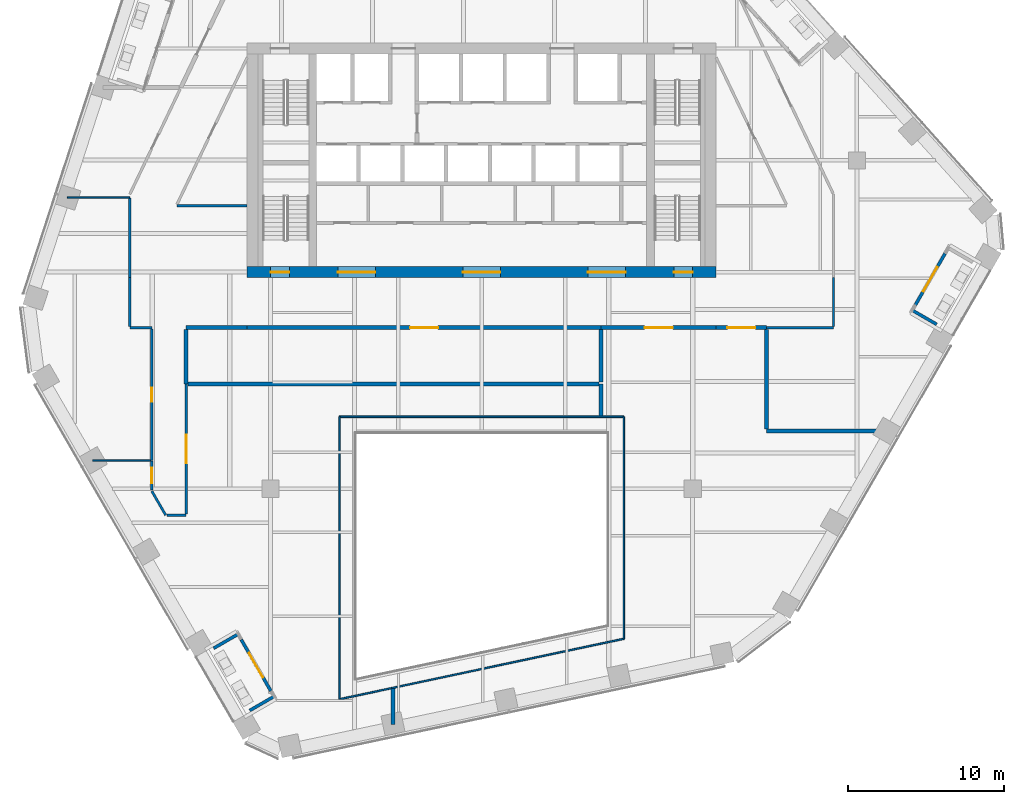
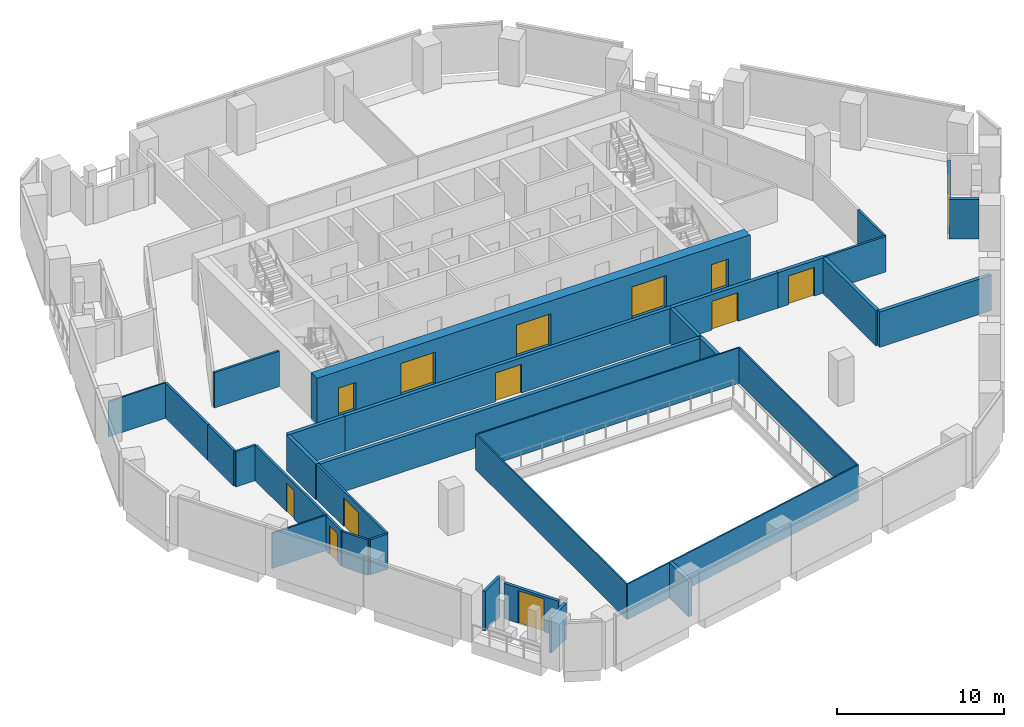
# One storey, part 19 of 26: 34 walls, 13 doors, 13 openings.
"""IFC4 building model written with IfcOpenShell, lengths in metres."""

from ifc_helpers import new_model, si_unit, direction, frame, frame_2d, origin, place, context, subcontext, project, spatial, rectangle, extrude, material, layer, layer_set, type_object, element, fill, save


model = new_model("IFC4")

# Units and contexts
model_context = context("Model", 3, precision=1e-05, world=origin(), true_north=direction((0.0, 1.0)))
body_context = subcontext(model_context, "Body", "Model", "MODEL_VIEW")
ifc_project = project(units=[si_unit("LENGTHUNIT", "METRE"), si_unit("AREAUNIT", "SQUARE_METRE"), si_unit("VOLUMEUNIT", "CUBIC_METRE"), si_unit("PLANEANGLEUNIT", "RADIAN"), si_unit("MASSUNIT", "GRAM", prefix="KILO")], contexts=[model_context])

# Site, building, storey
site_placement = place(None, origin())
site = spatial("IfcSite", under=ifc_project, at=site_placement, CompositionType="ELEMENT")
building_placement = place(site_placement, origin())
building = spatial("IfcBuilding", under=site, at=building_placement, Name="Isthmus Gate Tower", CompositionType="ELEMENT")
storey_placement = place(building_placement, frame((0.0, 0.0, 203.64990234375)))
storey = spatial("IfcBuildingStorey", under=building, at=storey_placement, Name="L51", CompositionType="ELEMENT", Elevation=203.64990234375)

# Wall, opening, door
ifc_material_1 = material(Name="Double-leaf acoustic stud wall, fire-rated", Category="gypsum")
ifc_layer_1 = layer(ifc_material_1, 0.25)
ifc_layer_set_1 = layer_set([ifc_layer_1], Name="ACOUSTIC WALL 250 60 MIN")
wall_type_1 = type_object("IfcWallType", Name="ACOUSTIC WALL 250 60 MIN", PredefinedType="PARTITIONING", material=ifc_layer_set_1)
wall_1_placement = place(storey_placement, frame((15.0, -3.199951171875, 0.0), z_axis=(0.0, 0.0, 1.0), x_axis=(-1.0, 0.0, 0.0)))
wall_1 = element("IfcWall", 1, at=wall_1_placement, inside=storey, type_object=wall_type_1, Name="L51 Acoustic Wall 250 60 Min", PredefinedType="PARTITIONING", context=body_context, shape_type="SweptSolid", body=[
    extrude(rectangle(XDim=7.35498046875, YDim=0.25, at=frame_2d((3.677490234375, 0.0))), origin(), (0.0, 0.0, 1.0), 2.59130859375),
])
opening_1_placement = place(wall_1_placement, frame((2.777587890625, 0.0, 0.0)))
opening_1 = element("IfcOpeningElement", 2, at=opening_1_placement, cuts=wall_1, Name="Opening DT-T4D-11", PredefinedType="OPENING", context=body_context, shape_type="SweptSolid", body=[
    extrude(rectangle(XDim=1.800048828125, YDim=2.10009765625, at=frame_2d((0.89990234375, 1.050048828125))), frame((0.0, 0.135009765625, 0.0), z_axis=(0.0, -1.0, 0.0), x_axis=(1.0, 0.0, 0.0)), (0.0, 0.0, 1.0), 0.27001953125),
])
ifc_material_2 = material(Name="Solid core timber door leaf, fire-rated", Category="wood")
door_type_1 = type_object("IfcDoorType", Name="FIRE DOOR ACOUSTIC ROOM 1800 X 2100 60 MIN", OperationType="DOUBLE_DOOR_DOUBLE_SWING", PredefinedType="DOOR", material=ifc_material_2)
door_1_placement = place(opening_1_placement, origin())
door_1 = element("IfcDoor", 3, at=door_1_placement, inside=storey, type_object=door_type_1, Name="L51 room door", OperationType="DOUBLE_DOOR_DOUBLE_SWING", OverallHeight=2.10009765625, OverallWidth=1.800048828125, PredefinedType="DOOR", context=body_context, shape_type="SweptSolid", body=[
    extrude(rectangle(XDim=1.800048828125, YDim=2.10009765625, at=frame_2d((0.89990234375, 1.050048828125))), frame((0.0, 0.02490234375, 0.0), z_axis=(0.0, -1.0, 0.0), x_axis=(1.0, 0.0, 0.0)), (0.0, 0.0, 1.0), 0.050048828125),
])
fill(opening_1, door_1)

wall_2_placement = place(storey_placement, frame((7.64501953125, -3.199951171875, 0.0), z_axis=(0.0, 0.0, 1.0), x_axis=(-1.0, 0.0, 0.0)))
wall_2 = element("IfcWall", 4, at=wall_2_placement, inside=storey, type_object=wall_type_1, Name="L51 Acoustic Wall 250 60 Min", PredefinedType="PARTITIONING", context=body_context, shape_type="SweptSolid", body=[
    extrude(rectangle(XDim=22.64501953125, YDim=0.25, at=frame_2d((11.322509765625, 0.0))), origin(), (0.0, 0.0, 1.0), 2.59130859375),
])
opening_2_placement = place(wall_2_placement, frame((10.422607421875, 0.0, 0.0)))
opening_2 = element("IfcOpeningElement", 5, at=opening_2_placement, cuts=wall_2, Name="Opening DT-T4D-13", PredefinedType="OPENING", context=body_context, shape_type="SweptSolid", body=[
    extrude(rectangle(XDim=1.800048828125, YDim=2.10009765625, at=frame_2d((0.89990234375, 1.050048828125))), frame((0.0, 0.135009765625, 0.0), z_axis=(0.0, -1.0, 0.0), x_axis=(1.0, 0.0, 0.0)), (0.0, 0.0, 1.0), 0.27001953125),
])
door_2_placement = place(opening_2_placement, origin())
door_2 = element("IfcDoor", 6, at=door_2_placement, inside=storey, type_object=door_type_1, Name="L51 room door", OperationType="DOUBLE_DOOR_DOUBLE_SWING", OverallHeight=2.10009765625, OverallWidth=1.800048828125, PredefinedType="DOOR", context=body_context, shape_type="SweptSolid", body=[
    extrude(rectangle(XDim=1.800048828125, YDim=2.10009765625, at=frame_2d((0.89990234375, 1.050048828125))), frame((0.0, 0.02490234375, 0.0), z_axis=(0.0, -1.0, 0.0), x_axis=(1.0, 0.0, 0.0)), (0.0, 0.0, 1.0), 0.050048828125),
])
fill(opening_2, door_2)

wall_3_placement = place(storey_placement, frame((18.222900390625, -3.199951171875, 0.0), z_axis=(0.0, 0.0, 1.0), x_axis=(-1.0, 0.0, 0.0)))
wall_3 = element("IfcWall", 7, at=wall_3_placement, inside=storey, type_object=wall_type_1, Name="L51 Acoustic Wall 250 60 Min", PredefinedType="PARTITIONING", context=body_context, shape_type="SweptSolid", body=[
    extrude(rectangle(XDim=3.222900390625, YDim=0.25, at=frame_2d((1.611328125, 0.0))), origin(), (0.0, 0.0, 1.0), 2.59130859375),
])
opening_3_placement = place(wall_3_placement, frame((0.71142578125, 0.0, 0.0)))
opening_3 = element("IfcOpeningElement", 8, at=opening_3_placement, cuts=wall_3, Name="Opening DT-T4D-12", PredefinedType="OPENING", context=body_context, shape_type="SweptSolid", body=[
    extrude(rectangle(XDim=1.800048828125, YDim=2.10009765625, at=frame_2d((0.89990234375, 1.050048828125))), frame((0.0, 0.135009765625, 0.0), z_axis=(0.0, -1.0, 0.0), x_axis=(1.0, 0.0, 0.0)), (0.0, 0.0, 1.0), 0.27001953125),
])
door_3_placement = place(opening_3_placement, origin())
door_3 = element("IfcDoor", 9, at=door_3_placement, inside=storey, type_object=door_type_1, Name="L51 room door", OperationType="DOUBLE_DOOR_DOUBLE_SWING", OverallHeight=2.10009765625, OverallWidth=1.800048828125, PredefinedType="DOOR", context=body_context, shape_type="SweptSolid", body=[
    extrude(rectangle(XDim=1.800048828125, YDim=2.10009765625, at=frame_2d((0.89990234375, 1.050048828125))), frame((0.0, 0.02490234375, 0.0), z_axis=(0.0, -1.0, 0.0), x_axis=(1.0, 0.0, 0.0)), (0.0, 0.0, 1.0), 0.050048828125),
])
fill(opening_3, door_3)

# Walls
wall_4_placement = place(storey_placement, frame((-15.0, -3.199951171875, 0.0), z_axis=(0.0, 0.0, 1.0), x_axis=(-1.0, 0.0, 0.0)))
element("IfcWall", 10, at=wall_4_placement, inside=storey, type_object=wall_type_1, Name="L51 Acoustic Wall 250 60 Min", PredefinedType="PARTITIONING", context=body_context, shape_type="SweptSolid", body=[
    extrude(rectangle(XDim=3.89990234375, YDim=0.25, at=frame_2d((1.949951171875, 0.0))), origin(), (0.0, 0.0, 1.0), 2.59130859375),
])
wall_5_placement = place(storey_placement, frame((-18.89990234375, -3.324951171875, 0.0), z_axis=(0.0, 0.0, 1.0), x_axis=(0.0, -1.0, 0.0)))
element("IfcWall", 11, at=wall_5_placement, inside=storey, type_object=wall_type_1, Name="L51 Acoustic Wall 250 60 Min", PredefinedType="PARTITIONING", context=body_context, shape_type="SweptSolid", body=[
    extrude(rectangle(XDim=3.47509765625, YDim=0.25, at=frame_2d((1.737548828125, 0.0))), origin(), (0.0, 0.0, 1.0), 2.59130859375),
])
wall_6_placement = place(storey_placement, frame((18.222900390625, -9.81103515625, 0.0), z_axis=(0.0, 0.0, 1.0), x_axis=(1.0, 0.0, 0.0)))
element("IfcWall", 12, at=wall_6_placement, inside=storey, type_object=wall_type_1, Name="L51 Acoustic Wall 250 60 Min", PredefinedType="PARTITIONING", context=body_context, shape_type="SweptSolid", body=[
    extrude(rectangle(XDim=7.751220703125, YDim=0.25, at=frame_2d((3.87548828125, 0.0))), origin(), (0.0, 0.0, 1.0), 2.59130859375),
])
wall_7_placement = place(storey_placement, frame((-5.674072265625, -28.593017578125, 0.0), z_axis=(0.0, 0.0, 1.0), x_axis=(0.0, 1.0, 0.0)))
element("IfcWall", 13, at=wall_7_placement, inside=storey, type_object=wall_type_1, Name="L51 Acoustic Wall 250 60 Min", PredefinedType="PARTITIONING", context=body_context, shape_type="SweptSolid", body=[
    extrude(rectangle(XDim=2.301025390625, YDim=0.25, at=frame_2d((1.150390625, 0.0))), origin(), (0.0, 0.0, 1.0), 2.59130859375),
])
wall_8_placement = place(storey_placement, frame((7.64501953125, -8.85009765625, 0.0), z_axis=(0.0, 0.0, 1.0), x_axis=(0.0, 1.0, 0.0)))
element("IfcWall", 14, at=wall_8_placement, inside=storey, type_object=wall_type_1, Name="L51 Acoustic Wall 250 60 Min", PredefinedType="PARTITIONING", context=body_context, shape_type="SweptSolid", body=[
    extrude(rectangle(XDim=2.050048828125, YDim=0.25, at=frame_2d((1.02490234375, 0.0))), origin(), (0.0, 0.0, 1.0), 2.59130859375),
])
wall_9_placement = place(storey_placement, frame((18.222900390625, -9.68603515625, 0.0), z_axis=(0.0, 0.0, 1.0), x_axis=(0.0, 1.0, 0.0)))
element("IfcWall", 15, at=wall_9_placement, inside=storey, type_object=wall_type_1, Name="L51 Acoustic Wall 250 60 Min", PredefinedType="PARTITIONING", context=body_context, shape_type="SweptSolid", body=[
    extrude(rectangle(XDim=6.361083984375, YDim=0.25, at=frame_2d((3.1806640625, 0.0))), origin(), (0.0, 0.0, 1.0), 2.59130859375),
])
wall_10_placement = place(storey_placement, frame((-18.77490234375, -6.800048828125, 0.0), z_axis=(0.0, 0.0, 1.0), x_axis=(1.0, 0.0, 0.0)))
element("IfcWall", 16, at=wall_10_placement, inside=storey, type_object=wall_type_1, Name="L51 Acoustic Wall 250 60 Min", PredefinedType="PARTITIONING", context=body_context, shape_type="SweptSolid", body=[
    extrude(rectangle(XDim=26.294921875, YDim=0.25, at=frame_2d((13.1474609375, 0.0))), origin(), (0.0, 0.0, 1.0), 2.59130859375),
])
wall_11_placement = place(storey_placement, frame((7.64501953125, -6.675048828125, 0.0), z_axis=(0.0, 0.0, 1.0), x_axis=(0.0, 1.0, 0.0)))
element("IfcWall", 17, at=wall_11_placement, inside=storey, type_object=wall_type_1, Name="L51 Acoustic Wall 250 60 Min", PredefinedType="PARTITIONING", context=body_context, shape_type="SweptSolid", body=[
    extrude(rectangle(XDim=3.35009765625, YDim=0.25, at=frame_2d((1.675048828125, 0.0))), origin(), (0.0, 0.0, 1.0), 2.59130859375),
])
ifc_material_3 = material(Name="Fire-rated laminated glass in steel frame", Category="steel")
ifc_layer_2 = layer(ifc_material_3, 0.10009765625)
ifc_layer_set_2 = layer_set([ifc_layer_2], Name="ATRIUM SCREEN GLAZED WALL 100 120 MIN")
wall_type_2 = type_object("IfcWallType", Name="ATRIUM SCREEN GLAZED WALL 100 120 MIN", PredefinedType="PARTITIONING", material=ifc_layer_set_2)
wall_12_placement = place(storey_placement, frame((-9.10009765625, -8.89990234375, 0.0), z_axis=(0.0, 0.0, 1.0), x_axis=(1.0, 0.0, 0.0)))
element("IfcWall", 18, at=wall_12_placement, inside=storey, type_object=wall_type_2, Name="L51 atrium screen", PredefinedType="PARTITIONING", context=body_context, shape_type="SweptSolid", body=[
    extrude(rectangle(XDim=18.2001953125, YDim=0.10009765625, at=frame_2d((9.10009765625, 0.0))), origin(), (0.0, 0.0, 1.0), 2.59130859375),
])
wall_13_placement = place(storey_placement, frame((9.10009765625, -8.89990234375, 0.0), z_axis=(0.0, 0.0, 1.0), x_axis=(0.0, -1.0, 0.0)))
element("IfcWall", 19, at=wall_13_placement, inside=storey, type_object=wall_type_2, Name="L51 atrium screen", PredefinedType="PARTITIONING", context=body_context, shape_type="SweptSolid", body=[
    extrude(rectangle(XDim=14.200927734375, YDim=0.10009765625, at=frame_2d((7.1005859375, 0.0))), origin(), (0.0, 0.0, 1.0), 2.59130859375),
])
wall_14_placement = place(storey_placement, frame((9.10009765625, -23.100830078125, 0.0), z_axis=(0.0, 0.0, 1.0), x_axis=(-0.978146710971, -0.207915876778, 0.0)))
element("IfcWall", 20, at=wall_14_placement, inside=storey, type_object=wall_type_2, Name="L51 atrium screen", PredefinedType="PARTITIONING", context=body_context, shape_type="SweptSolid", body=[
    extrude(rectangle(XDim=18.60693359375, YDim=0.10009765625, at=frame_2d((9.303466796875, 0.0))), origin(), (0.0, 0.0, 1.0), 2.59130859375),
])
wall_15_placement = place(storey_placement, frame((-9.10009765625, -26.969482421875, 0.0), z_axis=(0.0, 0.0, 1.0), x_axis=(0.0, 1.0, 0.0)))
element("IfcWall", 21, at=wall_15_placement, inside=storey, type_object=wall_type_2, Name="L51 atrium screen", PredefinedType="PARTITIONING", context=body_context, shape_type="SweptSolid", body=[
    extrude(rectangle(XDim=18.069580078125, YDim=0.10009765625, at=frame_2d((9.03466796875, 0.0))), origin(), (0.0, 0.0, 1.0), 2.59130859375),
])
ifc_material_4 = material(Name="Gypsum board on steel studs, fire-rated", Category="steel")
ifc_layer_3 = layer(ifc_material_4, 0.14990234375)
ifc_layer_set_3 = layer_set([ifc_layer_3], Name="CORRIDOR WALL 150 60 MIN")
wall_type_3 = type_object("IfcWallType", Name="CORRIDOR WALL 150 60 MIN", PredefinedType="PARTITIONING", material=ifc_layer_set_3)
wall_16_placement = place(storey_placement, frame((22.5, -3.199951171875, 0.0), z_axis=(0.0, 0.0, 1.0), x_axis=(-1.0, 0.0, 0.0)))
element("IfcWall", 22, at=wall_16_placement, inside=storey, type_object=wall_type_3, Name="L51 Corridor Wall 150 60 Min", PredefinedType="PARTITIONING", context=body_context, shape_type="SweptSolid", body=[
    extrude(rectangle(XDim=4.277099609375, YDim=0.14990234375, at=frame_2d((2.138671875, 0.0))), origin(), (0.0, 0.0, 1.0), 2.59130859375),
])
wall_17_placement = place(storey_placement, frame((22.5, 0.0, 0.0), z_axis=(0.0, 0.0, 1.0), x_axis=(0.0, -1.0, 0.0)))
element("IfcWall", 23, at=wall_17_placement, inside=storey, type_object=wall_type_3, Name="L51 Corridor Wall 150 60 Min", PredefinedType="PARTITIONING", context=body_context, shape_type="SweptSolid", body=[
    extrude(rectangle(XDim=3.125, YDim=0.14990234375, at=frame_2d((1.5625, 0.0))), origin(), (0.0, 0.0, 1.0), 2.59130859375),
])
wall_18_placement = place(storey_placement, frame((-21.10009765625, -3.199951171875, 0.0), z_axis=(0.0, 0.0, 1.0), x_axis=(-1.0, 0.0, 0.0)))
element("IfcWall", 24, at=wall_18_placement, inside=storey, type_object=wall_type_3, Name="L51 Corridor Wall 150 60 Min", PredefinedType="PARTITIONING", context=body_context, shape_type="SweptSolid", body=[
    extrude(rectangle(XDim=1.39990234375, YDim=0.14990234375, at=frame_2d((0.699951171875, 0.0))), origin(), (0.0, 0.0, 1.0), 2.59130859375),
])
wall_19_placement = place(storey_placement, frame((-20.20703125, -15.199951171875, 0.0), z_axis=(0.0, 0.0, 1.0), x_axis=(-0.500227474337, 0.865894031576, 0.0)))
element("IfcWall", 25, at=wall_19_placement, inside=storey, type_object=wall_type_3, Name="L51 Corridor Wall 150 60 Min", PredefinedType="PARTITIONING", context=body_context, shape_type="SweptSolid", body=[
    extrude(rectangle(XDim=1.785400390625, YDim=0.14990234375, at=frame_2d((0.892578125, 0.0))), origin(), (0.0, 0.0, 1.0), 2.59130859375),
])
wall_20_placement = place(storey_placement, frame((-18.89990234375, -15.199951171875, 0.0), z_axis=(0.0, 0.0, 1.0), x_axis=(-1.0, 0.0, 0.0)))
element("IfcWall", 26, at=wall_20_placement, inside=storey, type_object=wall_type_3, Name="L51 Corridor Wall 150 60 Min", PredefinedType="PARTITIONING", context=body_context, shape_type="SweptSolid", body=[
    extrude(rectangle(XDim=1.232177734375, YDim=0.14990234375, at=frame_2d((0.6162109375, 0.0))), origin(), (0.0, 0.0, 1.0), 2.59130859375),
])

# Wall, opening, door
wall_21_placement = place(storey_placement, frame((-18.89990234375, -6.800048828125, 0.0), z_axis=(0.0, 0.0, 1.0), x_axis=(0.0, -1.0, 0.0)))
wall_21 = element("IfcWall", 27, at=wall_21_placement, inside=storey, type_object=wall_type_3, Name="L51 Corridor Wall 150 60 Min", PredefinedType="PARTITIONING", context=body_context, shape_type="SweptSolid", body=[
    extrude(rectangle(XDim=8.324951171875, YDim=0.14990234375, at=frame_2d((4.16259765625, 0.0))), origin(), (0.0, 0.0, 1.0), 2.59130859375),
])
opening_4_placement = place(wall_21_placement, frame((3.262451171875, 0.0, 0.0)))
opening_4 = element("IfcOpeningElement", 28, at=opening_4_placement, cuts=wall_21, Name="Opening DT-T4D-09", PredefinedType="OPENING", context=body_context, shape_type="SweptSolid", body=[
    extrude(rectangle(XDim=1.800048828125, YDim=2.10009765625, at=frame_2d((0.89990234375, 1.050048828125))), frame((0.0, 0.0849609375, 0.0), z_axis=(0.0, -1.0, 0.0), x_axis=(1.0, 0.0, 0.0)), (0.0, 0.0, 1.0), 0.169921875),
])
ifc_material_5 = material(Name="Solid core timber door leaf, fire-rated", Category="wood")
door_type_2 = type_object("IfcDoorType", Name="FIRE DOOR ROOM 1800 X 2100 60 MIN", OperationType="DOUBLE_DOOR_DOUBLE_SWING", PredefinedType="DOOR", material=ifc_material_5)
door_4_placement = place(opening_4_placement, origin())
door_4 = element("IfcDoor", 29, at=door_4_placement, inside=storey, type_object=door_type_2, Name="L51 room door", OperationType="DOUBLE_DOOR_DOUBLE_SWING", OverallHeight=2.10009765625, OverallWidth=1.800048828125, PredefinedType="DOOR", context=body_context, shape_type="SweptSolid", body=[
    extrude(rectangle(XDim=1.800048828125, YDim=2.10009765625, at=frame_2d((0.89990234375, 1.050048828125))), frame((0.0, 0.02490234375, 0.0), z_axis=(0.0, -1.0, 0.0), x_axis=(1.0, 0.0, 0.0)), (0.0, 0.0, 1.0), 0.050048828125),
])
fill(opening_4, door_4)

# Walls
wall_22_placement = place(storey_placement, frame((-19.5, 4.60009765625, 0.0), z_axis=(0.0, 0.0, 1.0), x_axis=(1.0, 0.0, 0.0)))
element("IfcWall", 30, at=wall_22_placement, inside=storey, type_object=wall_type_3, Name="L51 Corridor Wall 150 60 Min", PredefinedType="PARTITIONING", context=body_context, shape_type="SweptSolid", body=[
    extrude(rectangle(XDim=4.5, YDim=0.14990234375, at=frame_2d((2.25, 0.0))), origin(), (0.0, 0.0, 1.0), 2.59130859375),
])
wall_23_placement = place(storey_placement, frame((-22.5, -3.125, 0.0), z_axis=(0.0, 0.0, 1.0), x_axis=(0.0, 1.0, 0.0)))
element("IfcWall", 31, at=wall_23_placement, inside=storey, type_object=wall_type_3, Name="L51 Corridor Wall 150 60 Min", PredefinedType="PARTITIONING", context=body_context, shape_type="SweptSolid", body=[
    extrude(rectangle(XDim=3.125, YDim=0.14990234375, at=frame_2d((1.5625, 0.0))), origin(), (0.0, 0.0, 1.0), 2.59130859375),
])
wall_24_placement = place(storey_placement, frame((-22.5, 0.0, 0.0), z_axis=(0.0, 0.0, 1.0), x_axis=(0.0, 1.0, 0.0)))
element("IfcWall", 32, at=wall_24_placement, inside=storey, type_object=wall_type_3, Name="L51 Corridor Wall 150 60 Min", PredefinedType="PARTITIONING", context=body_context, shape_type="SweptSolid", body=[
    extrude(rectangle(XDim=5.076904296875, YDim=0.14990234375, at=frame_2d((2.53857421875, 0.0))), origin(), (0.0, 0.0, 1.0), 2.59130859375),
])

# Wall, opening, door
wall_25_placement = place(storey_placement, frame((-21.10009765625, -11.693115234375, 0.0), z_axis=(0.0, 0.0, 1.0), x_axis=(0.0, 1.0, 0.0)))
wall_25 = element("IfcWall", 33, at=wall_25_placement, inside=storey, type_object=wall_type_3, Name="L51 Corridor Wall 150 60 Min", PredefinedType="PARTITIONING", context=body_context, shape_type="SweptSolid", body=[
    extrude(rectangle(XDim=8.418212890625, YDim=0.14990234375, at=frame_2d((4.208984375, 0.0))), origin(), (0.0, 0.0, 1.0), 2.59130859375),
])
opening_5_placement = place(wall_25_placement, frame((3.759033203125, 0.0, 0.0)))
opening_5 = element("IfcOpeningElement", 34, at=opening_5_placement, cuts=wall_25, Name="Opening DT-T4D-08", PredefinedType="OPENING", context=body_context, shape_type="SweptSolid", body=[
    extrude(rectangle(XDim=0.89990234375, YDim=2.10009765625, at=frame_2d((0.449951171875, 1.050048828125))), frame((0.0, 0.0849609375, 0.0), z_axis=(0.0, -1.0, 0.0), x_axis=(1.0, 0.0, 0.0)), (0.0, 0.0, 1.0), 0.169921875),
])
ifc_material_6 = material(Name="Solid core timber door leaf, fire-rated", Category="wood")
door_type_3 = type_object("IfcDoorType", Name="FIRE DOOR ROOM 900 X 2100 60 MIN", OperationType="SINGLE_SWING_LEFT", PredefinedType="DOOR", material=ifc_material_6)
door_5_placement = place(opening_5_placement, origin())
door_5 = element("IfcDoor", 35, at=door_5_placement, inside=storey, type_object=door_type_3, Name="L51 room door", OperationType="SINGLE_SWING_RIGHT", OverallHeight=2.10009765625, OverallWidth=0.89990234375, PredefinedType="DOOR", context=body_context, shape_type="SweptSolid", body=[
    extrude(rectangle(XDim=0.89990234375, YDim=2.10009765625, at=frame_2d((0.449951171875, 1.050048828125))), frame((0.0, 0.02490234375, 0.0), z_axis=(0.0, -1.0, 0.0), x_axis=(1.0, 0.0, 0.0)), (0.0, 0.0, 1.0), 0.050048828125),
])
fill(opening_5, door_5)

wall_26_placement = place(storey_placement, frame((-21.10009765625, -13.5791015625, 0.0), z_axis=(0.0, 0.0, 1.0), x_axis=(0.0, 1.0, 0.0)))
wall_26 = element("IfcWall", 36, at=wall_26_placement, inside=storey, type_object=wall_type_3, Name="L51 Corridor Wall 150 60 Min", PredefinedType="PARTITIONING", context=body_context, shape_type="SweptSolid", body=[
    extrude(rectangle(XDim=1.836181640625, YDim=0.14990234375, at=frame_2d((0.91796875, 0.0))), origin(), (0.0, 0.0, 1.0), 2.59130859375),
])
opening_6_placement = place(wall_26_placement, frame((0.41796875, 0.0, 0.0)))
opening_6 = element("IfcOpeningElement", 37, at=opening_6_placement, cuts=wall_26, Name="Opening DT-T4D-10", PredefinedType="OPENING", context=body_context, shape_type="SweptSolid", body=[
    extrude(rectangle(XDim=1.0, YDim=2.10009765625, at=frame_2d((0.5, 1.050048828125))), frame((0.0, 0.0849609375, 0.0), z_axis=(0.0, -1.0, 0.0), x_axis=(1.0, 0.0, 0.0)), (0.0, 0.0, 1.0), 0.169921875),
])
ifc_material_7 = material(Name="Solid core timber door leaf, fire-rated", Category="wood")
door_type_4 = type_object("IfcDoorType", Name="FIRE DOOR ROOM 1000 X 2100 60 MIN", OperationType="SINGLE_SWING_LEFT", PredefinedType="DOOR", material=ifc_material_7)
door_6_placement = place(opening_6_placement, origin())
door_6 = element("IfcDoor", 38, at=door_6_placement, inside=storey, type_object=door_type_4, Name="L51 room door", OperationType="SINGLE_SWING_RIGHT", OverallHeight=2.10009765625, OverallWidth=1.0, PredefinedType="DOOR", context=body_context, shape_type="SweptSolid", body=[
    extrude(rectangle(XDim=1.0, YDim=2.10009765625, at=frame_2d((0.5, 1.050048828125))), frame((0.0, 0.02490234375, 0.0), z_axis=(0.0, -1.0, 0.0), x_axis=(1.0, 0.0, 0.0)), (0.0, 0.0, 1.0), 0.050048828125),
])
fill(opening_6, door_6)

ifc_material_8 = material(Name="Precast concrete C40/50", Category="concrete")
ifc_layer_4 = layer(ifc_material_8, 0.199951171875)
ifc_layer_set_4 = layer_set([ifc_layer_4], Name="LOGGIA WALL 200")
wall_type_4 = type_object("IfcWallType", Name="LOGGIA WALL 200", PredefinedType="SOLIDWALL", material=ifc_layer_set_4)
wall_27_placement = place(storey_placement, frame((-15.383056640625, -23.15576171875, 0.0), z_axis=(0.0, 0.0, 1.0), x_axis=(0.499967155389, -0.866044365799, 0.0)))
wall_27 = element("IfcWall", 39, at=wall_27_placement, inside=storey, type_object=wall_type_4, Name="LOGGIA BACK WALL", PredefinedType="SOLIDWALL", context=body_context, shape_type="SweptSolid", body=[
    extrude(rectangle(XDim=3.800048828125, YDim=0.199951171875, at=frame_2d((1.89990234375, 0.0))), origin(), (0.0, 0.0, 1.0), 2.59130859375),
])
opening_7_placement = place(wall_27_placement, frame((1.0, 0.0, 0.0)))
opening_7 = element("IfcOpeningElement", 40, at=opening_7_placement, cuts=wall_27, Name="Opening DE51-03", PredefinedType="OPENING", context=body_context, shape_type="SweptSolid", body=[
    extrude(rectangle(XDim=1.800048828125, YDim=2.39990234375, at=frame_2d((0.89990234375, 1.199951171875))), frame((0.0, 0.10986328125, 0.0), z_axis=(0.0, -1.0, 0.0), x_axis=(1.0, 0.0, 0.0)), (0.0, 0.0, 1.0), 0.219970703125),
])
ifc_material_9 = material(Name="Aluminium, pale champagne anodised, laminated glass", Category="aluminium")
door_type_5 = type_object("IfcDoorType", Name="LOGGIA DOOR SLIDING 1800 X 2400", OperationType="DOUBLE_DOOR_SLIDING", PredefinedType="DOOR", material=ifc_material_9)
door_7_placement = place(opening_7_placement, origin())
door_7 = element("IfcDoor", 41, at=door_7_placement, inside=storey, type_object=door_type_5, Name="DOOR DE51-03", OperationType="SINGLE_SWING_LEFT", OverallHeight=2.39990234375, OverallWidth=1.800048828125, PredefinedType="DOOR", context=body_context, shape_type="SweptSolid", body=[
    extrude(rectangle(XDim=1.800048828125, YDim=2.39990234375, at=frame_2d((0.89990234375, 1.199951171875))), frame((0.0, 0.02490234375, 0.0), z_axis=(0.0, -1.0, 0.0), x_axis=(1.0, 0.0, 0.0)), (0.0, 0.0, 1.0), 0.050048828125),
])
fill(opening_7, door_7)

# Walls
wall_28_placement = place(storey_placement, frame((-17.141845703125, -23.709228515625, 0.0), z_axis=(0.0, 0.0, 1.0), x_axis=(0.865994143547, 0.500054140411, 0.0)))
element("IfcWall", 42, at=wall_28_placement, inside=storey, type_object=wall_type_4, Name="LOGGIA SIDE WALL", PredefinedType="SOLIDWALL", context=body_context, shape_type="SweptSolid", body=[
    extrude(rectangle(XDim=1.783935546875, YDim=0.199951171875, at=frame_2d((0.89208984375, 0.0))), origin(), (0.0, 0.0, 1.0), 2.900146484375),
])
wall_29_placement = place(storey_placement, frame((-14.841796875, -27.693115234375, 0.0), z_axis=(0.0, 0.0, 1.0), x_axis=(0.865994143547, 0.500054140411, 0.0)))
element("IfcWall", 43, at=wall_29_placement, inside=storey, type_object=wall_type_4, Name="LOGGIA SIDE WALL", PredefinedType="SOLIDWALL", context=body_context, shape_type="SweptSolid", body=[
    extrude(rectangle(XDim=1.783935546875, YDim=0.199951171875, at=frame_2d((0.89208984375, 0.0))), origin(), (0.0, 0.0, 1.0), 2.59130859375),
])

# Wall, opening, door
wall_30_placement = place(storey_placement, frame((27.744873046875, -1.744384765625, 0.0), z_axis=(0.0, 0.0, 1.0), x_axis=(0.500015340139, 0.86601654697, 0.0)))
wall_30 = element("IfcWall", 44, at=wall_30_placement, inside=storey, type_object=wall_type_4, Name="LOGGIA BACK WALL", PredefinedType="SOLIDWALL", context=body_context, shape_type="SweptSolid", body=[
    extrude(rectangle(XDim=3.80029296875, YDim=0.199951171875, at=frame_2d((1.900146484375, 0.0))), origin(), (0.0, 0.0, 1.0), 2.75),
])
opening_8_placement = place(wall_30_placement, frame((1.0, 0.0, 0.0)))
opening_8 = element("IfcOpeningElement", 45, at=opening_8_placement, cuts=wall_30, Name="Opening DE51-04", PredefinedType="OPENING", context=body_context, shape_type="SweptSolid", body=[
    extrude(rectangle(XDim=1.800048828125, YDim=2.39990234375, at=frame_2d((0.89990234375, 1.199951171875))), frame((0.0, 0.10986328125, 0.0), z_axis=(0.0, -1.0, 0.0), x_axis=(1.0, 0.0, 0.0)), (0.0, 0.0, 1.0), 0.219970703125),
])
door_8_placement = place(opening_8_placement, origin())
door_8 = element("IfcDoor", 46, at=door_8_placement, inside=storey, type_object=door_type_5, Name="DOOR DE51-04", OperationType="SINGLE_SWING_LEFT", OverallHeight=2.39990234375, OverallWidth=1.800048828125, PredefinedType="DOOR", context=body_context, shape_type="SweptSolid", body=[
    extrude(rectangle(XDim=1.800048828125, YDim=2.39990234375, at=frame_2d((0.89990234375, 1.199951171875))), frame((0.0, 0.02490234375, 0.0), z_axis=(0.0, -1.0, 0.0), x_axis=(1.0, 0.0, 0.0)), (0.0, 0.0, 1.0), 0.050048828125),
])
fill(opening_8, door_8)

# Wall
wall_31_placement = place(storey_placement, frame((29.103759765625, -2.99072265625, 0.0), z_axis=(0.0, 0.0, 1.0), x_axis=(-0.865994143547, 0.500054140411, 0.0)))
element("IfcWall", 47, at=wall_31_placement, inside=storey, type_object=wall_type_4, Name="LOGGIA SIDE WALL", PredefinedType="SOLIDWALL", context=body_context, shape_type="SweptSolid", body=[
    extrude(rectangle(XDim=1.783935546875, YDim=0.199951171875, at=frame_2d((0.89208984375, 0.0))), origin(), (0.0, 0.0, 1.0), 2.900146484375),
])

# Wall, openings, doors
ifc_material_10 = material(Name="Concrete f'c 60 MPa", Category="concrete")
ifc_layer_5 = layer(ifc_material_10, 0.699951171875)
ifc_layer_set_5 = layer_set([ifc_layer_5], Name="RC CORE WALL 700 F'C 60")
wall_type_5 = type_object("IfcWallType", Name="RC CORE WALL 700 F'C 60", PredefinedType="SOLIDWALL", material=ifc_layer_set_5)
wall_32_placement = place(storey_placement, frame((-15.0, 0.35009765625, -0.14990234375), z_axis=(0.0, 0.0, 1.0), x_axis=(1.0, 0.0, 0.0)))
wall_32 = element("IfcWall", 48, at=wall_32_placement, inside=storey, type_object=wall_type_5, Name="str-corewall-L51-S", PredefinedType="SOLIDWALL", context=body_context, shape_type="SweptSolid", body=[
    extrude(rectangle(XDim=30.0, YDim=0.699951171875, at=frame_2d((15.0, 0.0))), origin(), (0.0, 0.0, 1.0), 3.5),
])
opening_9_placement = place(wall_32_placement, frame((5.800048828125, 0.0, 0.14990234375)))
opening_9 = element("IfcOpeningElement", 49, at=opening_9_placement, cuts=wall_32, Name="Opening DC-A10-10", PredefinedType="OPENING", context=body_context, shape_type="SweptSolid", body=[
    extrude(rectangle(XDim=2.39990234375, YDim=2.39990234375, at=frame_2d((1.199951171875, 1.199951171875))), frame((0.0, 0.35986328125, 0.0), z_axis=(0.0, -1.0, 0.0), x_axis=(1.0, 0.0, 0.0)), (0.0, 0.0, 1.0), 0.719970703125),
])
opening_10_placement = place(wall_32_placement, frame((13.800048828125, 0.0, 0.14990234375)))
opening_10 = element("IfcOpeningElement", 50, at=opening_10_placement, cuts=wall_32, Name="Opening DC-A10-11", PredefinedType="OPENING", context=body_context, shape_type="SweptSolid", body=[
    extrude(rectangle(XDim=2.39990234375, YDim=2.39990234375, at=frame_2d((1.199951171875, 1.199951171875))), frame((0.0, 0.35986328125, 0.0), z_axis=(0.0, -1.0, 0.0), x_axis=(1.0, 0.0, 0.0)), (0.0, 0.0, 1.0), 0.719970703125),
])
opening_11_placement = place(wall_32_placement, frame((21.800048828125, 0.0, 0.14990234375)))
opening_11 = element("IfcOpeningElement", 51, at=opening_11_placement, cuts=wall_32, Name="Opening DC-A10-12", PredefinedType="OPENING", context=body_context, shape_type="SweptSolid", body=[
    extrude(rectangle(XDim=2.39990234375, YDim=2.39990234375, at=frame_2d((1.199951171875, 1.199951171875))), frame((0.0, 0.35986328125, 0.0), z_axis=(0.0, -1.0, 0.0), x_axis=(1.0, 0.0, 0.0)), (0.0, 0.0, 1.0), 0.719970703125),
])
opening_12_placement = place(wall_32_placement, frame((1.5, 0.0, 0.14990234375)))
opening_12 = element("IfcOpeningElement", 52, at=opening_12_placement, cuts=wall_32, Name="Opening DC-A10-17", PredefinedType="OPENING", context=body_context, shape_type="SweptSolid", body=[
    extrude(rectangle(XDim=1.199951171875, YDim=2.10009765625, at=frame_2d((0.60009765625, 1.050048828125))), frame((0.0, 0.35986328125, 0.0), z_axis=(0.0, -1.0, 0.0), x_axis=(1.0, 0.0, 0.0)), (0.0, 0.0, 1.0), 0.719970703125),
])
opening_13_placement = place(wall_32_placement, frame((27.300048828125, 0.0, 0.14990234375)))
opening_13 = element("IfcOpeningElement", 53, at=opening_13_placement, cuts=wall_32, Name="Opening DC-A10-18", PredefinedType="OPENING", context=body_context, shape_type="SweptSolid", body=[
    extrude(rectangle(XDim=1.199951171875, YDim=2.10009765625, at=frame_2d((0.60009765625, 1.050048828125))), frame((0.0, 0.35986328125, 0.0), z_axis=(0.0, -1.0, 0.0), x_axis=(1.0, 0.0, 0.0)), (0.0, 0.0, 1.0), 0.719970703125),
])
ifc_material_11 = material(Name="Laminated safety glass in steel frame, fire-rated", Category="steel")
door_type_6 = type_object("IfcDoorType", Name="LOBBY ENTRANCE FIRE DOOR 2400 X 2400 60 MIN", OperationType="DOUBLE_DOOR_DOUBLE_SWING", PredefinedType="DOOR", material=ifc_material_11)
door_9_placement = place(opening_9_placement, origin())
door_9 = element("IfcDoor", 54, at=door_9_placement, inside=storey, type_object=door_type_6, Name="Lobby Entrance PS-W", OperationType="DOUBLE_DOOR_DOUBLE_SWING", OverallHeight=2.39990234375, OverallWidth=2.39990234375, PredefinedType="DOOR", context=body_context, shape_type="SweptSolid", body=[
    extrude(rectangle(XDim=2.39990234375, YDim=2.39990234375, at=frame_2d((1.199951171875, 1.199951171875))), frame((0.0, 0.02490234375, 0.0), z_axis=(0.0, -1.0, 0.0), x_axis=(1.0, 0.0, 0.0)), (0.0, 0.0, 1.0), 0.050048828125),
])
fill(opening_9, door_9)
door_10_placement = place(opening_10_placement, origin())
door_10 = element("IfcDoor", 55, at=door_10_placement, inside=storey, type_object=door_type_6, Name="Lobby Entrance PS-C", OperationType="DOUBLE_DOOR_DOUBLE_SWING", OverallHeight=2.39990234375, OverallWidth=2.39990234375, PredefinedType="DOOR", context=body_context, shape_type="SweptSolid", body=[
    extrude(rectangle(XDim=2.39990234375, YDim=2.39990234375, at=frame_2d((1.199951171875, 1.199951171875))), frame((0.0, 0.02490234375, 0.0), z_axis=(0.0, -1.0, 0.0), x_axis=(1.0, 0.0, 0.0)), (0.0, 0.0, 1.0), 0.050048828125),
])
fill(opening_10, door_10)
door_11_placement = place(opening_11_placement, origin())
door_11 = element("IfcDoor", 56, at=door_11_placement, inside=storey, type_object=door_type_6, Name="Lobby Entrance PS-E", OperationType="DOUBLE_DOOR_DOUBLE_SWING", OverallHeight=2.39990234375, OverallWidth=2.39990234375, PredefinedType="DOOR", context=body_context, shape_type="SweptSolid", body=[
    extrude(rectangle(XDim=2.39990234375, YDim=2.39990234375, at=frame_2d((1.199951171875, 1.199951171875))), frame((0.0, 0.02490234375, 0.0), z_axis=(0.0, -1.0, 0.0), x_axis=(1.0, 0.0, 0.0)), (0.0, 0.0, 1.0), 0.050048828125),
])
fill(opening_11, door_11)
ifc_material_12 = material(Name="Steel door leaf, fire-rated", Category="steel")
door_type_7 = type_object("IfcDoorType", Name="STAIR FIRE DOOR 1200 X 2100 90 MIN", OperationType="SINGLE_SWING_LEFT", PredefinedType="DOOR", material=ifc_material_12)
door_12_placement = place(opening_12_placement, origin())
door_12 = element("IfcDoor", 57, at=door_12_placement, inside=storey, type_object=door_type_7, Name="Exit Stair 7 Door", OperationType="SINGLE_SWING_LEFT", OverallHeight=2.10009765625, OverallWidth=1.199951171875, PredefinedType="DOOR", context=body_context, shape_type="SweptSolid", body=[
    extrude(rectangle(XDim=1.199951171875, YDim=2.10009765625, at=frame_2d((0.60009765625, 1.050048828125))), frame((0.0, 0.02490234375, 0.0), z_axis=(0.0, -1.0, 0.0), x_axis=(1.0, 0.0, 0.0)), (0.0, 0.0, 1.0), 0.050048828125),
])
fill(opening_12, door_12)
door_13_placement = place(opening_13_placement, origin())
door_13 = element("IfcDoor", 58, at=door_13_placement, inside=storey, type_object=door_type_7, Name="Exit Stair 8 Door", OperationType="SINGLE_SWING_RIGHT", OverallHeight=2.10009765625, OverallWidth=1.199951171875, PredefinedType="DOOR", context=body_context, shape_type="SweptSolid", body=[
    extrude(rectangle(XDim=1.199951171875, YDim=2.10009765625, at=frame_2d((0.60009765625, 1.050048828125))), frame((0.0, 0.02490234375, 0.0), z_axis=(0.0, -1.0, 0.0), x_axis=(1.0, 0.0, 0.0)), (0.0, 0.0, 1.0), 0.050048828125),
])
fill(opening_13, door_13)

# Walls
ifc_material_13 = material(Name="Gypsum board on steel studs, fire-rated", Category="steel")
ifc_layer_6 = layer(ifc_material_13, 0.10009765625)
ifc_layer_set_6 = layer_set([ifc_layer_6], Name="ROOM PARTITION 100 30 MIN")
wall_type_6 = type_object("IfcWallType", Name="ROOM PARTITION 100 30 MIN", PredefinedType="PARTITIONING", material=ifc_layer_set_6)
wall_33_placement = place(storey_placement, frame((-26.5009765625, 5.126953125, 0.0), z_axis=(0.0, 0.0, 1.0), x_axis=(1.0, 0.0, 0.0)))
element("IfcWall", 59, at=wall_33_placement, inside=storey, type_object=wall_type_6, Name="L51 Room Partition 100 30 Min", PredefinedType="PARTITIONING", context=body_context, shape_type="SweptSolid", body=[
    extrude(rectangle(XDim=3.97607421875, YDim=0.10009765625, at=frame_2d((1.988037109375, 0.0))), origin(), (0.0, 0.0, 1.0), 2.59130859375),
])
wall_34_placement = place(storey_placement, frame((-24.887939453125, -11.693115234375, 0.0), z_axis=(0.0, 0.0, 1.0), x_axis=(1.0, 0.0, 0.0)))
element("IfcWall", 60, at=wall_34_placement, inside=storey, type_object=wall_type_6, Name="L51 Room Partition 100 30 Min", PredefinedType="PARTITIONING", context=body_context, shape_type="SweptSolid", body=[
    extrude(rectangle(XDim=3.712890625, YDim=0.10009765625, at=frame_2d((1.8564453125, 0.0))), origin(), (0.0, 0.0, 1.0), 2.59130859375),
])

save(model, "model.ifc")
